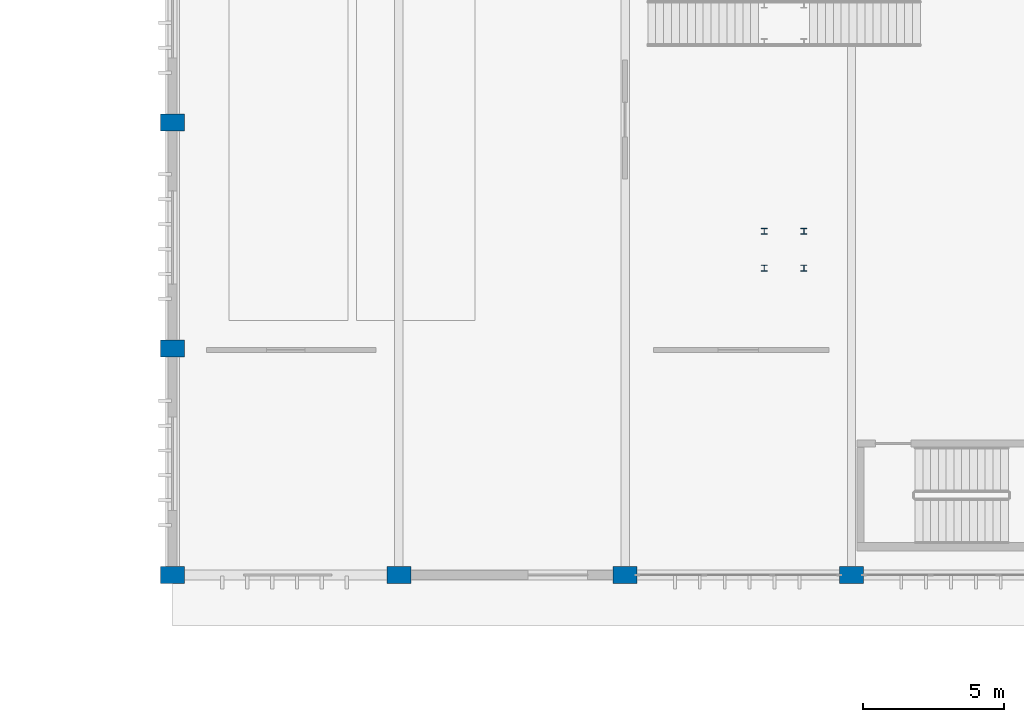
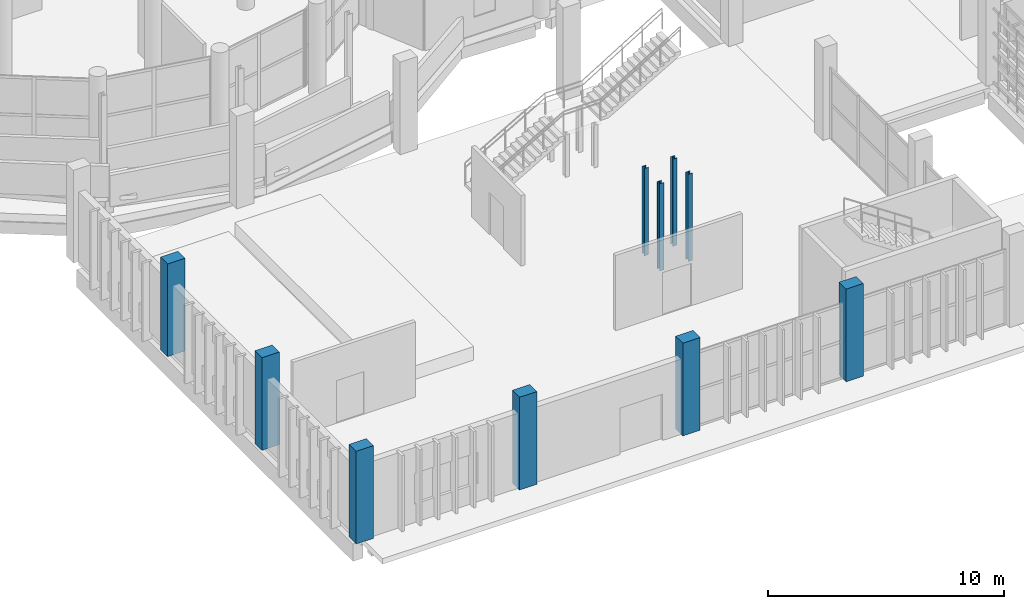
# One storey, part 1 of 117: 10 columns.
"""IFC4 building model written with IfcOpenShell, lengths in metres."""

from ifc_helpers import new_model, si_unit, direction, frame, origin, origin_2d, place, context, subcontext, project, spatial, rectangle, i_section, extrude, material, material_profile, profile_set, type_object, element, save


model = new_model("IFC4")

# Units and contexts
model_context = context("Model", 3, precision=1e-05, world=origin(), true_north=direction((0.0, 1.0)))
body_context = subcontext(model_context, "Body", "Model", "MODEL_VIEW")
ifc_project = project(units=[si_unit("LENGTHUNIT", "METRE"), si_unit("AREAUNIT", "SQUARE_METRE"), si_unit("VOLUMEUNIT", "CUBIC_METRE"), si_unit("PLANEANGLEUNIT", "RADIAN"), si_unit("MASSUNIT", "GRAM", prefix="KILO")], contexts=[model_context])

# Site, building, storey
site_placement = place(None, origin())
site = spatial("IfcSite", under=ifc_project, at=site_placement, CompositionType="ELEMENT")
building_placement = place(site_placement, origin())
building = spatial("IfcBuilding", under=site, at=building_placement, Name="Jelvoka-Kovrelna Polytechnic", CompositionType="ELEMENT")
storey_placement = place(building_placement, origin())
storey = spatial("IfcBuildingStorey", under=building, at=storey_placement, Name="L01", CompositionType="ELEMENT", Elevation=0.0)

# Columns
ifc_material_1 = material(Name="Concrete C40/50", Category="concrete")
ifc_material_profile_1 = material_profile(ifc_material_1, rectangle(XDim=0.60009765625, YDim=0.85009765625, at=origin_2d()), Name="RC 600x850")
ifc_profile_set_1 = profile_set([ifc_material_profile_1], Name="Concrete C40/50")
column_type_1 = type_object("IfcColumnType", Name="Col_RC_600x850", PredefinedType="COLUMN", material=ifc_profile_set_1)
for number, where, z_axis, x_axis, name in (
    (1, (16.0, 0.0, 0.0), (0.0, 0.0, 1.0), (0.0, 1.0, 0.0), "L01 column 0002"),
    (2, (24.0, 0.0, 0.0), (0.0, 0.0, 1.0), (0.0, 1.0, 0.0), "L01 column 0006"),
    (3, (32.0, 0.0, 0.0), (0.0, 0.0, 1.0), (0.0, 1.0, 0.0), "L01 column 0010"),
    (4, (40.0, 0.0, 0.0), (0.0, 0.0, 1.0), (0.0, 1.0, 0.0), "L01 column 0014"),
    (5, (16.0, 8.0, 0.0), (0.0, 0.0, 1.0), (0.0, 1.0, 0.0), "L01 column 0085"),
    (6, (16.0, 16.0, 0.0), (0.0, 0.0, 1.0), (0.0, 1.0, 0.0), "L01 column 0183"),
):
    element("IfcColumn", number, at=place(storey_placement, frame(where, z_axis=z_axis, x_axis=x_axis)), inside=storey, type_object=column_type_1, Name=name, PredefinedType="COLUMN", context=body_context, shape_type="SweptSolid", body=[
        extrude(rectangle(XDim=0.60009765625, YDim=0.85009765625, at=origin_2d()), origin(), (0.0, 0.0, 1.0), 4.800048828125),
    ])
ifc_material_2 = material(Name="Structural steel S355JR", Category="steel")
ifc_material_profile_2 = material_profile(ifc_material_2, i_section(OverallWidth=0.205810546875, OverallDepth=0.209716796875, WebThickness=0.009521484375, FlangeThickness=0.01416015625, FilletRadius=0.01025390625, at=origin_2d()), Name="203x203x60 UC")
ifc_profile_set_2 = profile_set([ifc_material_profile_2], Name="Structural steel S355JR")
column_type_2 = type_object("IfcColumnType", Name="Col_Steel_UC203", PredefinedType="COLUMN", material=ifc_profile_set_2)
for number, where, z_axis, x_axis, name in (
    (7, (36.919921875, 10.85009765625, 0.0), (0.0, 0.0, 1.0), (1.0, 0.0, 0.0), "L01 feature stair support post 1702"),
    (8, (36.919921875, 12.14990234375, 0.0), (0.0, 0.0, 1.0), (1.0, 0.0, 0.0), "L01 feature stair support post 1704"),
    (9, (38.320068359375, 10.85009765625, 0.0), (0.0, 0.0, 1.0), (1.0, 0.0, 0.0), "L01 feature stair support post 1706"),
    (10, (38.320068359375, 12.14990234375, 0.0), (0.0, 0.0, 1.0), (1.0, 0.0, 0.0), "L01 feature stair support post 1708"),
):
    element("IfcColumn", number, at=place(storey_placement, frame(where, z_axis=z_axis, x_axis=x_axis)), inside=storey, type_object=column_type_2, Name=name, PredefinedType="COLUMN", context=body_context, shape_type="SweptSolid", body=[
        extrude(i_section(OverallWidth=0.205810546875, OverallDepth=0.209716796875, WebThickness=0.009521484375, FlangeThickness=0.01416015625, FilletRadius=0.01025390625, at=origin_2d()), origin(), (0.0, 0.0, 1.0), 4.52001953125),
    ])

save(model, "model.ifc")
